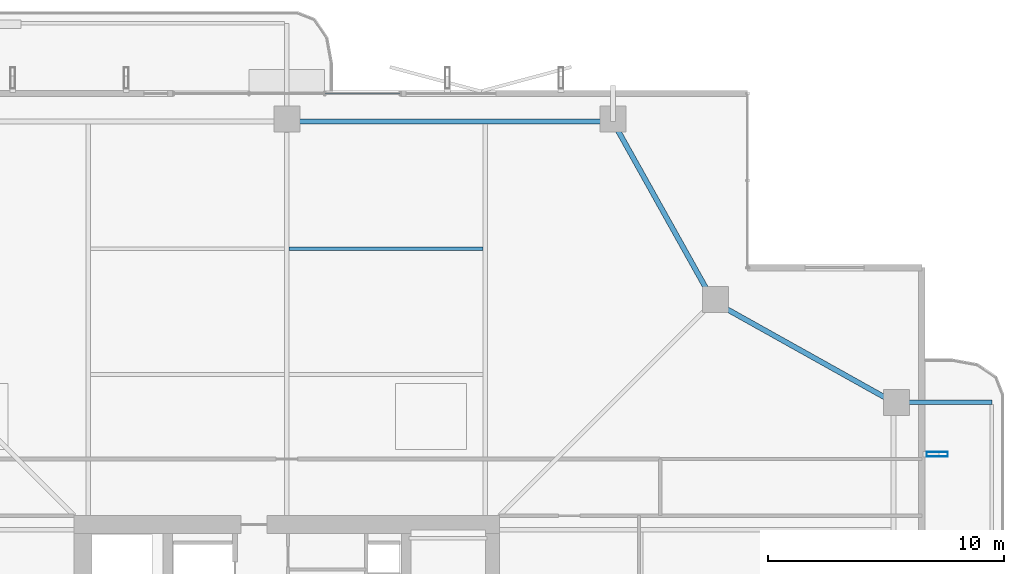
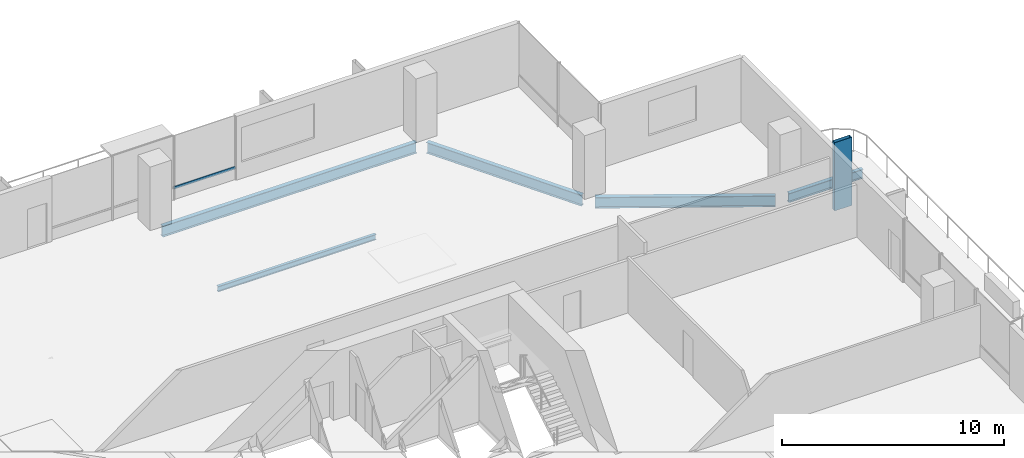
# One storey, part 19 of 29: 5 beams, 2 members, 1 element without a shape of its own.
"""IFC4 building model written with IfcOpenShell, lengths in metres."""

from ifc_helpers import new_model, si_unit, direction, frame, origin, origin_2d, place, context, subcontext, project, spatial, hollow_rectangle, i_section, extrude, material, layer, layer_set, material_profile, profile_set, type_object, element, aggregate, save


model = new_model("IFC4")

# Units and contexts
model_context = context("Model", 3, precision=1e-05, world=origin(), true_north=direction((0.0, 1.0)))
body_context = subcontext(model_context, "Body", "Model", "MODEL_VIEW")
ifc_project = project(units=[si_unit("LENGTHUNIT", "METRE"), si_unit("AREAUNIT", "SQUARE_METRE"), si_unit("VOLUMEUNIT", "CUBIC_METRE"), si_unit("PLANEANGLEUNIT", "RADIAN"), si_unit("MASSUNIT", "GRAM", prefix="KILO")], contexts=[model_context])

# Site, building, storey
site_placement = place(None, origin())
site = spatial("IfcSite", under=ifc_project, at=site_placement, CompositionType="ELEMENT")
building_placement = place(site_placement, origin())
building = spatial("IfcBuilding", under=site, at=building_placement, Name="Belovzor Exchange Tower", CompositionType="ELEMENT")
storey_placement = place(building_placement, frame((0.0, 0.0, 199.949951171875)))
storey = spatial("IfcBuildingStorey", under=building, at=storey_placement, Name="L49", CompositionType="ELEMENT", Elevation=199.949951171875)

# Beams
ifc_material_1 = material(Name="Steel S355", Category="steel")
ifc_material_profile_1 = material_profile(ifc_material_1, i_section(OverallWidth=0.199951171875, OverallDepth=0.5, WebThickness=0.01025390625, FlangeThickness=0.01611328125, at=origin_2d()))
ifc_profile_set_1 = profile_set([ifc_material_profile_1], Name="Steel S355")
beam_type_1 = type_object("IfcBeamType", Name="Planted Balcony Cantilever Beam IPE 500", PredefinedType="BEAM", material=ifc_profile_set_1)
beam_1_placement = place(storey_placement, frame((54.791015625, 42.60009765625, -0.5), z_axis=(1.0, 0.0, 0.0), x_axis=(0.0, 1.0, 0.0)))
element("IfcBeam", 1, at=beam_1_placement, inside=storey, type_object=beam_type_1, Name="BC-500 Planted Balcony Cantilever Beam IPE 500", PredefinedType="BEAM", context=body_context, shape_type="SweptSolid", body=[
    extrude(i_section(OverallWidth=0.199951171875, OverallDepth=0.5, WebThickness=0.01025390625, FlangeThickness=0.01611328125, at=origin_2d()), origin(), (0.0, 0.0, 1.0), 3.85009765625),
])
ifc_material_2 = material(Name="Steel S355", Category="steel")
ifc_material_profile_2 = material_profile(ifc_material_2, i_section(OverallWidth=0.14990234375, OverallDepth=0.300048828125, WebThickness=0.007080078125, FlangeThickness=0.0107421875, at=origin_2d()))
ifc_profile_set_2 = profile_set([ifc_material_profile_2], Name="Steel S355")
beam_type_2 = type_object("IfcBeamType", Name="Secondary Trim Floor Joist IPE 300", PredefinedType="BEAM", material=ifc_profile_set_2)
beam_2_placement = place(storey_placement, frame((28.89501953125, 49.10400390625, -0.39990234375), z_axis=(1.0, 0.0, 0.0), x_axis=(0.0, 1.0, 0.0)))
element("IfcBeam", 2, at=beam_2_placement, inside=storey, type_object=beam_type_2, Name="FJ-300 Secondary Trim Floor Joist IPE 300", PredefinedType="BEAM", context=body_context, shape_type="SweptSolid", body=[
    extrude(i_section(OverallWidth=0.14990234375, OverallDepth=0.300048828125, WebThickness=0.007080078125, FlangeThickness=0.0107421875, at=origin_2d()), origin(), (0.0, 0.0, 1.0), 8.2099609375),
])

# Member
ifc_material_3 = material(Name="Extruded Architectural Terracotta on Steel S355 Carrier", Category="masonry")
ifc_material_profile_3 = material_profile(ifc_material_3, hollow_rectangle(XDim=0.199951171875, YDim=0.89990234375, WallThickness=0.011962890625, at=origin_2d()))
ifc_profile_set_3 = profile_set([ifc_material_profile_3], Name="Extruded Architectural Terracotta on Steel S355 Carrier")
member_type_1 = type_object("IfcMemberType", Name="Sweeping Terracotta Baguette Fin Assembly 950", PredefinedType="USERDEFINED", material=ifc_profile_set_3)
member_1_placement = place(storey_placement, frame((56.324951171875, 40.39990234375, -0.25), z_axis=(0.0, 0.0, 1.0), x_axis=(0.0, 1.0, 0.0)))
element("IfcMember", 3, at=member_1_placement, inside=storey, type_object=member_type_1, Name="FIN-TC095 Terracotta Facade Fin L49 E4", ObjectType="FIN", PredefinedType="USERDEFINED", context=body_context, shape_type="SweptSolid", body=[
    extrude(hollow_rectangle(XDim=0.199951171875, YDim=0.89990234375, WallThickness=0.011962890625, at=origin_2d()), origin(), (0.0, 0.0, 1.0), 3.75),
])

# Curtain wall, member
ifc_material_4 = material(Name="Anodised Aluminium Framing", Category="aluminium")
ifc_layer = layer(ifc_material_4, 0.179931640625)
ifc_layer_set = layer_set([ifc_layer], Name="Anodised Aluminium Framing")
curtain_wall_type = type_object("IfcCurtainWallType", Name="Recessed Loggia Low-Iron Triple-Glazed Curtain Wall", PredefinedType="NOTDEFINED", material=ifc_layer_set)
curtain_wall_placement = place(storey_placement, origin())
curtain_wall = element("IfcCurtainWall", 4, at=curtain_wall_placement, inside=storey, type_object=curtain_wall_type, Name="CW3 Recessed Loggia Low-Iron Triple-Glazed Curtain Wall L49", PredefinedType="NOTDEFINED")
ifc_material_5 = material(Name="Steel S355", Category="steel")
ifc_material_profile_4 = material_profile(ifc_material_5, hollow_rectangle(XDim=0.06005859375, YDim=0.14990234375, WallThickness=0.00390625, at=origin_2d()))
ifc_profile_set_4 = profile_set([ifc_material_profile_4], Name="Steel S355")
member_type_2 = type_object("IfcMemberType", Name="Thermally Broken Curtain Wall Transom 150x60", PredefinedType="USERDEFINED", material=ifc_profile_set_4)
member_2_placement = place(storey_placement, frame((30.407958984375, 55.669921875, 0.630126953125), z_axis=(1.0, 0.0, 0.0), x_axis=(0.0, 1.0, 0.0)))
member_2 = element("IfcMember", 5, at=member_2_placement, type_object=member_type_2, Name="CW-T150 Curtain Wall Transom 3", ObjectType="TRANSOM", PredefinedType="USERDEFINED", context=body_context, shape_type="SweptSolid", body=[
    extrude(hollow_rectangle(XDim=0.06005859375, YDim=0.14990234375, WallThickness=0.00390625, at=origin_2d()), origin(), (0.0, 0.0, 1.0), 3.18408203125),
])
aggregate(curtain_wall, [member_2])

# Beams
ifc_material_6 = material(Name="Steel S355", Category="steel")
ifc_material_profile_5 = material_profile(ifc_material_6, i_section(OverallWidth=0.219970703125, OverallDepth=0.60009765625, WebThickness=0.011962890625, FlangeThickness=0.01904296875, at=origin_2d()))
ifc_profile_set_5 = profile_set([ifc_material_profile_5], Name="Steel S355")
beam_type_3 = type_object("IfcBeamType", Name="Zone 4 Flare Primary Girder IPE 600", PredefinedType="BEAM", material=ifc_profile_set_5)
for number, where, z_axis, x_axis, name in (
    (6, (54.214111328125, 42.748046875, -0.550048828125), (-0.873010850475, 0.487700784244, 0.0), (-0.487700784244, -0.873010850475, 0.0), "FG-Z4 Zone 4 Flare Primary Girder IPE 600"),
    (7, (46.7099609375, 47.1220703125, -0.550048828125), (-0.487700784244, 0.873010850475, 0.0), (-0.873010850475, -0.487700784244, 0.0), "FG-Z4 Zone 4 Flare Primary Girder IPE 600"),
):
    element("IfcBeam", number, at=place(storey_placement, frame(where, z_axis=z_axis, x_axis=x_axis)), inside=storey, type_object=beam_type_3, Name=name, PredefinedType="BEAM", context=body_context, shape_type="SweptSolid", body=[
        extrude(i_section(OverallWidth=0.219970703125, OverallDepth=0.60009765625, WebThickness=0.011962890625, FlangeThickness=0.01904296875, at=origin_2d()), origin(), (0.0, 0.0, 1.0), 8.123779296875),
    ])
beam_3_placement = place(storey_placement, frame((42.297119140625, 54.47802734375, -0.550048828125), z_axis=(-1.0, 0.0, 0.0), x_axis=(0.0, -1.0, 0.0)))
element("IfcBeam", 8, at=beam_3_placement, inside=storey, type_object=beam_type_3, Name="FG-Z4 Zone 4 Flare Primary Girder IPE 600", PredefinedType="BEAM", context=body_context, shape_type="SweptSolid", body=[
    extrude(i_section(OverallWidth=0.219970703125, OverallDepth=0.60009765625, WebThickness=0.011962890625, FlangeThickness=0.01904296875, at=origin_2d()), origin(), (0.0, 0.0, 1.0), 13.195068359375),
])

save(model, "model.ifc")
